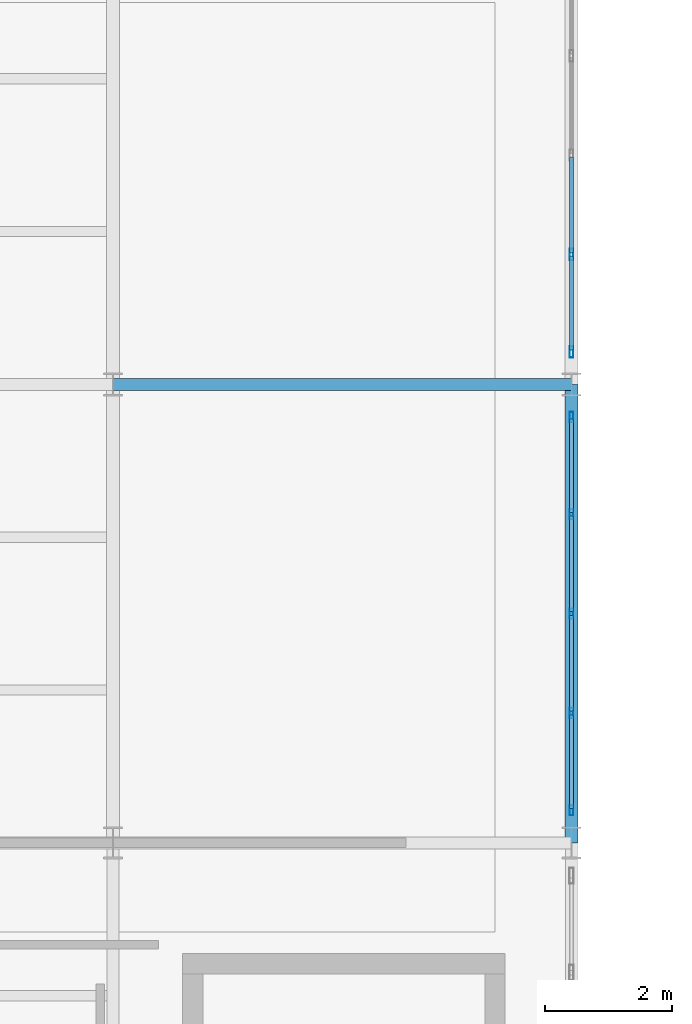
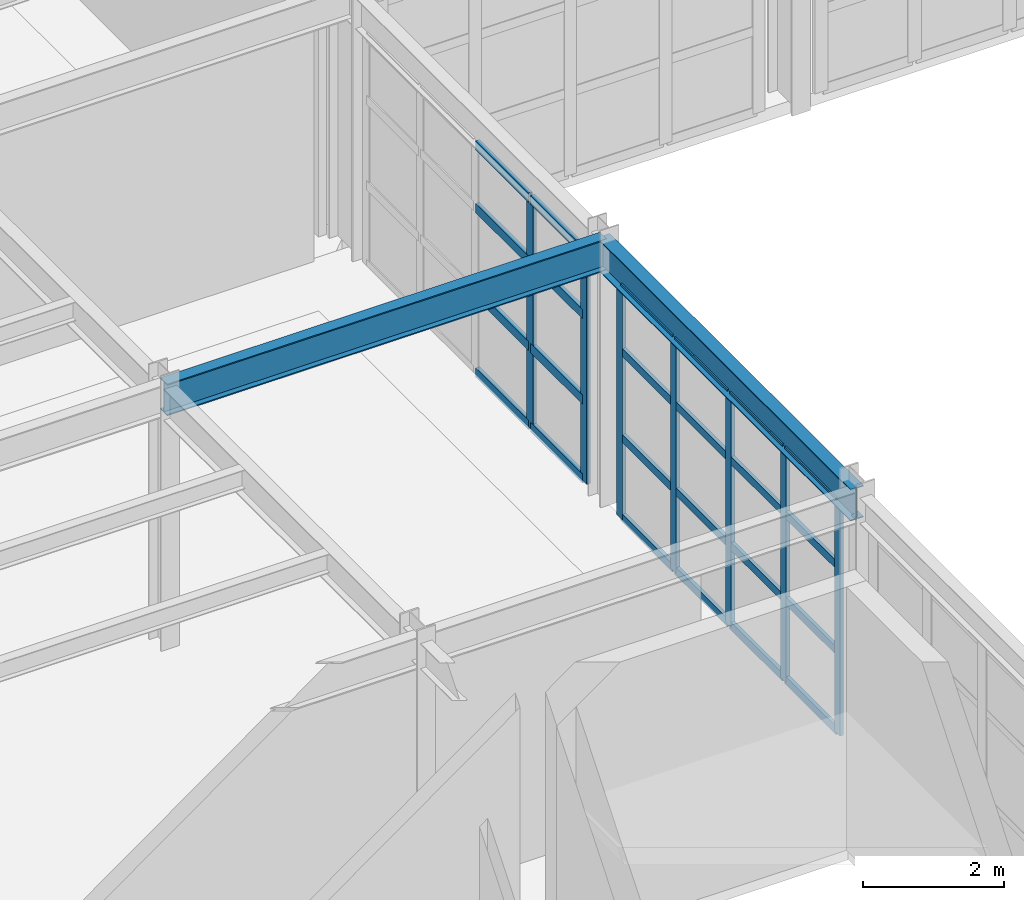
# One storey, part 28 of 121: 31 members, 2 beams, 2 elements without a shape of their own.
"""IFC4 building model written with IfcOpenShell, lengths in metres."""

from ifc_helpers import new_model, si_unit, direction, frame, origin, origin_2d, place, context, subcontext, project, spatial, hollow_rectangle, i_section, extrude, material, layer, layer_set, material_profile, profile_set, type_object, element, aggregate, save


model = new_model("IFC4")

# Units and contexts
model_context = context("Model", 3, precision=1e-05, world=origin(), true_north=direction((0.0, 1.0)))
body_context = subcontext(model_context, "Body", "Model", "MODEL_VIEW")
ifc_project = project(units=[si_unit("LENGTHUNIT", "METRE"), si_unit("AREAUNIT", "SQUARE_METRE"), si_unit("VOLUMEUNIT", "CUBIC_METRE"), si_unit("PLANEANGLEUNIT", "RADIAN"), si_unit("MASSUNIT", "GRAM", prefix="KILO")], contexts=[model_context])

# Site, building, storey
site_placement = place(None, origin())
site = spatial("IfcSite", under=ifc_project, at=site_placement, CompositionType="ELEMENT")
building_placement = place(site_placement, origin())
building = spatial("IfcBuilding", under=site, at=building_placement, Name="Solvadek Multi-Sports Hall", CompositionType="ELEMENT")
storey_placement = place(building_placement, frame((0.0, 0.0, 4.800048828125)))
storey = spatial("IfcBuildingStorey", under=building, at=storey_placement, Name="L01", CompositionType="ELEMENT", Elevation=4.800048828125)

# Curtain wall, members
ifc_material_1 = material(Name="Anodised aluminium", Category="aluminium")
ifc_layer_1 = layer(ifc_material_1, 0.159912109375, Name="Anodised aluminium")
ifc_layer_set_1 = layer_set([ifc_layer_1], Name="Anodised aluminium")
curtain_wall_type_1 = type_object("IfcCurtainWallType", Name="ENV-CW-624X402", PredefinedType="USERDEFINED", material=ifc_layer_set_1)
curtain_wall_1_placement = place(storey_placement, origin())
curtain_wall_1 = element("IfcCurtainWall", 1, at=curtain_wall_1_placement, inside=storey, type_object=curtain_wall_type_1, Name="L01 Perimeter Bay Curtain Wall #193", ObjectType="CURTAIN WALL", PredefinedType="USERDEFINED")
ifc_material_profile_1 = material_profile(ifc_material_1, hollow_rectangle(XDim=0.06005859375, YDim=0.159912109375, WallThickness=0.00390625, at=origin_2d()), Name="ALU-M 160x60x4")
ifc_profile_set_1 = profile_set([ifc_material_profile_1], Name="Anodised aluminium")
member_type_1 = type_object("IfcMemberType", Name="ENV-CWM-01", PredefinedType="MULLION", material=ifc_profile_set_1)
member_1_placement = place(storey_placement, frame((21.60009765625, 35.31005859375, 0.0), z_axis=(0.0, 0.0, 1.0), x_axis=(-1.0, 0.0, 0.0)))
member_1 = element("IfcMember", 2, at=member_1_placement, type_object=member_type_1, Name="CW-55 mullion 1", PredefinedType="MULLION", context=body_context, shape_type="SweptSolid", body=[
    extrude(hollow_rectangle(XDim=0.06005859375, YDim=0.159912109375, WallThickness=0.00390625, at=origin_2d()), origin(), (0.0, 0.0, 1.0), 4.02490234375),
])
member_2_placement = place(storey_placement, frame((21.60009765625, 36.840087890625, 0.0), z_axis=(0.0, 0.0, 1.0), x_axis=(-1.0, 0.0, 0.0)))
member_2 = element("IfcMember", 3, at=member_2_placement, type_object=member_type_1, Name="CW-55 mullion 2", PredefinedType="MULLION", context=body_context, shape_type="SweptSolid", body=[
    extrude(hollow_rectangle(XDim=0.06005859375, YDim=0.159912109375, WallThickness=0.00390625, at=origin_2d()), origin(), (0.0, 0.0, 1.0), 4.02490234375),
])
member_3_placement = place(storey_placement, frame((21.60009765625, 38.39990234375, 0.0), z_axis=(0.0, 0.0, 1.0), x_axis=(-1.0, 0.0, 0.0)))
member_3 = element("IfcMember", 4, at=member_3_placement, type_object=member_type_1, Name="CW-55 mullion 3", PredefinedType="MULLION", context=body_context, shape_type="SweptSolid", body=[
    extrude(hollow_rectangle(XDim=0.06005859375, YDim=0.159912109375, WallThickness=0.00390625, at=origin_2d()), origin(), (0.0, 0.0, 1.0), 4.02490234375),
])
member_4_placement = place(storey_placement, frame((21.60009765625, 39.9599609375, 0.0), z_axis=(0.0, 0.0, 1.0), x_axis=(-1.0, 0.0, 0.0)))
member_4 = element("IfcMember", 5, at=member_4_placement, type_object=member_type_1, Name="CW-55 mullion 4", PredefinedType="MULLION", context=body_context, shape_type="SweptSolid", body=[
    extrude(hollow_rectangle(XDim=0.06005859375, YDim=0.159912109375, WallThickness=0.00390625, at=origin_2d()), origin(), (0.0, 0.0, 1.0), 4.02490234375),
])
member_5_placement = place(storey_placement, frame((21.60009765625, 41.489990234375, 0.0), z_axis=(0.0, 0.0, 1.0), x_axis=(-1.0, 0.0, 0.0)))
member_5 = element("IfcMember", 6, at=member_5_placement, type_object=member_type_1, Name="CW-55 mullion 5", PredefinedType="MULLION", context=body_context, shape_type="SweptSolid", body=[
    extrude(hollow_rectangle(XDim=0.06005859375, YDim=0.159912109375, WallThickness=0.00390625, at=origin_2d()), origin(), (0.0, 0.0, 1.0), 4.02490234375),
])

ifc_layer_2 = layer(ifc_material_1, 0.159912109375, Name="Anodised aluminium")
ifc_layer_set_2 = layer_set([ifc_layer_2], Name="Anodised aluminium")
curtain_wall_type_2 = type_object("IfcCurtainWallType", Name="ENV-CW-624X400", PredefinedType="USERDEFINED", material=ifc_layer_set_2)
curtain_wall_2_placement = place(storey_placement, origin())
curtain_wall_2 = element("IfcCurtainWall", 7, at=curtain_wall_2_placement, inside=storey, type_object=curtain_wall_type_2, Name="L01 Perimeter Bay Curtain Wall #198", ObjectType="CURTAIN WALL", PredefinedType="USERDEFINED")
ifc_material_profile_2 = material_profile(ifc_material_1, hollow_rectangle(XDim=0.06005859375, YDim=0.179931640625, WallThickness=0.00390625, at=origin_2d()), Name="ALU-M 180x60x4")
ifc_profile_set_2 = profile_set([ifc_material_profile_2], Name="Anodised aluminium")
member_type_2 = type_object("IfcMemberType", Name="ENV-CWM-02", PredefinedType="MULLION", material=ifc_profile_set_2)
member_6_placement = place(storey_placement, frame((21.60009765625, 42.510009765625, 0.0), z_axis=(0.0, 0.0, 1.0), x_axis=(-1.0, 0.0, 0.0)))
member_6 = element("IfcMember", 8, at=member_6_placement, type_object=member_type_2, Name="CW-56 mullion 1", PredefinedType="MULLION", context=body_context, shape_type="SweptSolid", body=[
    extrude(hollow_rectangle(XDim=0.06005859375, YDim=0.179931640625, WallThickness=0.00390625, at=origin_2d()), origin(), (0.0, 0.0, 1.0), 4.0),
])
member_7_placement = place(storey_placement, frame((21.60009765625, 44.0400390625, 0.0), z_axis=(0.0, 0.0, 1.0), x_axis=(-1.0, 0.0, 0.0)))
member_7 = element("IfcMember", 9, at=member_7_placement, type_object=member_type_2, Name="CW-56 mullion 2", PredefinedType="MULLION", context=body_context, shape_type="SweptSolid", body=[
    extrude(hollow_rectangle(XDim=0.06005859375, YDim=0.179931640625, WallThickness=0.00390625, at=origin_2d()), origin(), (0.0, 0.0, 1.0), 4.0),
])

# Member
ifc_material_profile_3 = material_profile(ifc_material_1, hollow_rectangle(XDim=0.06005859375, YDim=0.139892578125, WallThickness=0.00390625, at=origin_2d()), Name="ALU-T 140x60x4")
ifc_profile_set_3 = profile_set([ifc_material_profile_3], Name="Anodised aluminium")
member_type_3 = type_object("IfcMemberType", Name="ENV-CWT-02", PredefinedType="USERDEFINED", material=ifc_profile_set_3)
member_8_placement = place(storey_placement, frame((21.60009765625, 35.340087890625, 0.030029296875), z_axis=(0.0, 1.0, 0.0), x_axis=(-1.0, 0.0, 0.0)))
member_8 = element("IfcMember", 10, at=member_8_placement, type_object=member_type_3, Name="CW-55 transom 1.1", ObjectType="TRANSOM", PredefinedType="USERDEFINED", context=body_context, shape_type="SweptSolid", body=[
    extrude(hollow_rectangle(XDim=0.06005859375, YDim=0.139892578125, WallThickness=0.00390625, at=origin_2d()), origin(), (0.0, 0.0, 1.0), 1.469970703125),
])

member_9_placement = place(storey_placement, frame((21.60009765625, 35.340087890625, 1.408935546875), z_axis=(0.0, 1.0, 0.0), x_axis=(-1.0, 0.0, 0.0)))
member_9 = element("IfcMember", 11, at=member_9_placement, type_object=member_type_3, Name="CW-55 transom 1.2", ObjectType="TRANSOM", PredefinedType="USERDEFINED", context=body_context, shape_type="SweptSolid", body=[
    extrude(hollow_rectangle(XDim=0.06005859375, YDim=0.139892578125, WallThickness=0.00390625, at=origin_2d()), origin(), (0.0, 0.0, 1.0), 1.469970703125),
])

member_10_placement = place(storey_placement, frame((21.60009765625, 35.340087890625, 2.89794921875), z_axis=(0.0, 1.0, 0.0), x_axis=(-1.0, 0.0, 0.0)))
member_10 = element("IfcMember", 12, at=member_10_placement, type_object=member_type_3, Name="CW-55 transom 1.3", ObjectType="TRANSOM", PredefinedType="USERDEFINED", context=body_context, shape_type="SweptSolid", body=[
    extrude(hollow_rectangle(XDim=0.06005859375, YDim=0.139892578125, WallThickness=0.00390625, at=origin_2d()), origin(), (0.0, 0.0, 1.0), 1.469970703125),
])

member_11_placement = place(storey_placement, frame((21.60009765625, 35.340087890625, 3.994873046875), z_axis=(0.0, 1.0, 0.0), x_axis=(-1.0, 0.0, 0.0)))
member_11 = element("IfcMember", 13, at=member_11_placement, type_object=member_type_3, Name="CW-55 transom 1.4", ObjectType="TRANSOM", PredefinedType="USERDEFINED", context=body_context, shape_type="SweptSolid", body=[
    extrude(hollow_rectangle(XDim=0.06005859375, YDim=0.139892578125, WallThickness=0.00390625, at=origin_2d()), origin(), (0.0, 0.0, 1.0), 1.469970703125),
])

member_12_placement = place(storey_placement, frame((21.60009765625, 36.8701171875, 0.030029296875), z_axis=(0.0, 1.0, 0.0), x_axis=(-1.0, 0.0, 0.0)))
member_12 = element("IfcMember", 14, at=member_12_placement, type_object=member_type_3, Name="CW-55 transom 2.1", ObjectType="TRANSOM", PredefinedType="USERDEFINED", context=body_context, shape_type="SweptSolid", body=[
    extrude(hollow_rectangle(XDim=0.06005859375, YDim=0.139892578125, WallThickness=0.00390625, at=origin_2d()), origin(), (0.0, 0.0, 1.0), 1.5),
])

member_13_placement = place(storey_placement, frame((21.60009765625, 36.8701171875, 1.408935546875), z_axis=(0.0, 1.0, 0.0), x_axis=(-1.0, 0.0, 0.0)))
member_13 = element("IfcMember", 15, at=member_13_placement, type_object=member_type_3, Name="CW-55 transom 2.2", ObjectType="TRANSOM", PredefinedType="USERDEFINED", context=body_context, shape_type="SweptSolid", body=[
    extrude(hollow_rectangle(XDim=0.06005859375, YDim=0.139892578125, WallThickness=0.00390625, at=origin_2d()), origin(), (0.0, 0.0, 1.0), 1.5),
])

member_14_placement = place(storey_placement, frame((21.60009765625, 36.8701171875, 2.89794921875), z_axis=(0.0, 1.0, 0.0), x_axis=(-1.0, 0.0, 0.0)))
member_14 = element("IfcMember", 16, at=member_14_placement, type_object=member_type_3, Name="CW-55 transom 2.3", ObjectType="TRANSOM", PredefinedType="USERDEFINED", context=body_context, shape_type="SweptSolid", body=[
    extrude(hollow_rectangle(XDim=0.06005859375, YDim=0.139892578125, WallThickness=0.00390625, at=origin_2d()), origin(), (0.0, 0.0, 1.0), 1.5),
])

member_15_placement = place(storey_placement, frame((21.60009765625, 36.8701171875, 3.994873046875), z_axis=(0.0, 1.0, 0.0), x_axis=(-1.0, 0.0, 0.0)))
member_15 = element("IfcMember", 17, at=member_15_placement, type_object=member_type_3, Name="CW-55 transom 2.4", ObjectType="TRANSOM", PredefinedType="USERDEFINED", context=body_context, shape_type="SweptSolid", body=[
    extrude(hollow_rectangle(XDim=0.06005859375, YDim=0.139892578125, WallThickness=0.00390625, at=origin_2d()), origin(), (0.0, 0.0, 1.0), 1.5),
])

member_16_placement = place(storey_placement, frame((21.60009765625, 38.429931640625, 0.030029296875), z_axis=(0.0, 1.0, 0.0), x_axis=(-1.0, 0.0, 0.0)))
member_16 = element("IfcMember", 18, at=member_16_placement, type_object=member_type_3, Name="CW-55 transom 3.1", ObjectType="TRANSOM", PredefinedType="USERDEFINED", context=body_context, shape_type="SweptSolid", body=[
    extrude(hollow_rectangle(XDim=0.06005859375, YDim=0.139892578125, WallThickness=0.00390625, at=origin_2d()), origin(), (0.0, 0.0, 1.0), 1.5),
])

member_17_placement = place(storey_placement, frame((21.60009765625, 38.429931640625, 1.408935546875), z_axis=(0.0, 1.0, 0.0), x_axis=(-1.0, 0.0, 0.0)))
member_17 = element("IfcMember", 19, at=member_17_placement, type_object=member_type_3, Name="CW-55 transom 3.2", ObjectType="TRANSOM", PredefinedType="USERDEFINED", context=body_context, shape_type="SweptSolid", body=[
    extrude(hollow_rectangle(XDim=0.06005859375, YDim=0.139892578125, WallThickness=0.00390625, at=origin_2d()), origin(), (0.0, 0.0, 1.0), 1.5),
])

member_18_placement = place(storey_placement, frame((21.60009765625, 38.429931640625, 2.89794921875), z_axis=(0.0, 1.0, 0.0), x_axis=(-1.0, 0.0, 0.0)))
member_18 = element("IfcMember", 20, at=member_18_placement, type_object=member_type_3, Name="CW-55 transom 3.3", ObjectType="TRANSOM", PredefinedType="USERDEFINED", context=body_context, shape_type="SweptSolid", body=[
    extrude(hollow_rectangle(XDim=0.06005859375, YDim=0.139892578125, WallThickness=0.00390625, at=origin_2d()), origin(), (0.0, 0.0, 1.0), 1.5),
])

member_19_placement = place(storey_placement, frame((21.60009765625, 38.429931640625, 3.994873046875), z_axis=(0.0, 1.0, 0.0), x_axis=(-1.0, 0.0, 0.0)))
member_19 = element("IfcMember", 21, at=member_19_placement, type_object=member_type_3, Name="CW-55 transom 3.4", ObjectType="TRANSOM", PredefinedType="USERDEFINED", context=body_context, shape_type="SweptSolid", body=[
    extrude(hollow_rectangle(XDim=0.06005859375, YDim=0.139892578125, WallThickness=0.00390625, at=origin_2d()), origin(), (0.0, 0.0, 1.0), 1.5),
])

member_20_placement = place(storey_placement, frame((21.60009765625, 39.989990234375, 0.030029296875), z_axis=(0.0, 1.0, 0.0), x_axis=(-1.0, 0.0, 0.0)))
member_20 = element("IfcMember", 22, at=member_20_placement, type_object=member_type_3, Name="CW-55 transom 4.1", ObjectType="TRANSOM", PredefinedType="USERDEFINED", context=body_context, shape_type="SweptSolid", body=[
    extrude(hollow_rectangle(XDim=0.06005859375, YDim=0.139892578125, WallThickness=0.00390625, at=origin_2d()), origin(), (0.0, 0.0, 1.0), 1.469970703125),
])

member_21_placement = place(storey_placement, frame((21.60009765625, 39.989990234375, 1.408935546875), z_axis=(0.0, 1.0, 0.0), x_axis=(-1.0, 0.0, 0.0)))
member_21 = element("IfcMember", 23, at=member_21_placement, type_object=member_type_3, Name="CW-55 transom 4.2", ObjectType="TRANSOM", PredefinedType="USERDEFINED", context=body_context, shape_type="SweptSolid", body=[
    extrude(hollow_rectangle(XDim=0.06005859375, YDim=0.139892578125, WallThickness=0.00390625, at=origin_2d()), origin(), (0.0, 0.0, 1.0), 1.469970703125),
])

member_22_placement = place(storey_placement, frame((21.60009765625, 39.989990234375, 2.89794921875), z_axis=(0.0, 1.0, 0.0), x_axis=(-1.0, 0.0, 0.0)))
member_22 = element("IfcMember", 24, at=member_22_placement, type_object=member_type_3, Name="CW-55 transom 4.3", ObjectType="TRANSOM", PredefinedType="USERDEFINED", context=body_context, shape_type="SweptSolid", body=[
    extrude(hollow_rectangle(XDim=0.06005859375, YDim=0.139892578125, WallThickness=0.00390625, at=origin_2d()), origin(), (0.0, 0.0, 1.0), 1.469970703125),
])

member_23_placement = place(storey_placement, frame((21.60009765625, 39.989990234375, 3.994873046875), z_axis=(0.0, 1.0, 0.0), x_axis=(-1.0, 0.0, 0.0)))
member_23 = element("IfcMember", 25, at=member_23_placement, type_object=member_type_3, Name="CW-55 transom 4.4", ObjectType="TRANSOM", PredefinedType="USERDEFINED", context=body_context, shape_type="SweptSolid", body=[
    extrude(hollow_rectangle(XDim=0.06005859375, YDim=0.139892578125, WallThickness=0.00390625, at=origin_2d()), origin(), (0.0, 0.0, 1.0), 1.469970703125),
])

aggregate(curtain_wall_1, [member_1, member_2, member_3, member_4, member_5, member_8, member_9, member_10, member_11, member_12, member_13, member_14, member_15, member_16, member_17, member_18, member_19, member_20, member_21, member_22, member_23])

ifc_material_profile_4 = material_profile(ifc_material_1, hollow_rectangle(XDim=0.06494140625, YDim=0.159912109375, WallThickness=0.00390625, at=origin_2d()), Name="ALU-T 160x65x4")
ifc_profile_set_4 = profile_set([ifc_material_profile_4], Name="Anodised aluminium")
member_type_4 = type_object("IfcMemberType", Name="ENV-CWT-03", PredefinedType="USERDEFINED", material=ifc_profile_set_4)
member_24_placement = place(storey_placement, frame((21.60009765625, 42.5400390625, 0.032470703125), z_axis=(0.0, 1.0, 0.0), x_axis=(-1.0, 0.0, 0.0)))
member_24 = element("IfcMember", 26, at=member_24_placement, type_object=member_type_4, Name="CW-56 transom 1.1", ObjectType="TRANSOM", PredefinedType="USERDEFINED", context=body_context, shape_type="SweptSolid", body=[
    extrude(hollow_rectangle(XDim=0.06494140625, YDim=0.159912109375, WallThickness=0.00390625, at=origin_2d()), origin(), (0.0, 0.0, 1.0), 1.469970703125),
])

member_25_placement = place(storey_placement, frame((21.60009765625, 42.5400390625, 1.39990234375), z_axis=(0.0, 1.0, 0.0), x_axis=(-1.0, 0.0, 0.0)))
member_25 = element("IfcMember", 27, at=member_25_placement, type_object=member_type_4, Name="CW-56 transom 1.2", ObjectType="TRANSOM", PredefinedType="USERDEFINED", context=body_context, shape_type="SweptSolid", body=[
    extrude(hollow_rectangle(XDim=0.06494140625, YDim=0.159912109375, WallThickness=0.00390625, at=origin_2d()), origin(), (0.0, 0.0, 1.0), 1.469970703125),
])

member_26_placement = place(storey_placement, frame((21.60009765625, 42.5400390625, 2.8798828125), z_axis=(0.0, 1.0, 0.0), x_axis=(-1.0, 0.0, 0.0)))
member_26 = element("IfcMember", 28, at=member_26_placement, type_object=member_type_4, Name="CW-56 transom 1.3", ObjectType="TRANSOM", PredefinedType="USERDEFINED", context=body_context, shape_type="SweptSolid", body=[
    extrude(hollow_rectangle(XDim=0.06494140625, YDim=0.159912109375, WallThickness=0.00390625, at=origin_2d()), origin(), (0.0, 0.0, 1.0), 1.469970703125),
])

member_27_placement = place(storey_placement, frame((21.60009765625, 42.5400390625, 3.967529296875), z_axis=(0.0, 1.0, 0.0), x_axis=(-1.0, 0.0, 0.0)))
member_27 = element("IfcMember", 29, at=member_27_placement, type_object=member_type_4, Name="CW-56 transom 1.4", ObjectType="TRANSOM", PredefinedType="USERDEFINED", context=body_context, shape_type="SweptSolid", body=[
    extrude(hollow_rectangle(XDim=0.06494140625, YDim=0.159912109375, WallThickness=0.00390625, at=origin_2d()), origin(), (0.0, 0.0, 1.0), 1.469970703125),
])

member_28_placement = place(storey_placement, frame((21.60009765625, 44.070068359375, 0.032470703125), z_axis=(0.0, 1.0, 0.0), x_axis=(-1.0, 0.0, 0.0)))
member_28 = element("IfcMember", 30, at=member_28_placement, type_object=member_type_4, Name="CW-56 transom 2.1", ObjectType="TRANSOM", PredefinedType="USERDEFINED", context=body_context, shape_type="SweptSolid", body=[
    extrude(hollow_rectangle(XDim=0.06494140625, YDim=0.159912109375, WallThickness=0.00390625, at=origin_2d()), origin(), (0.0, 0.0, 1.0), 1.5),
])

member_29_placement = place(storey_placement, frame((21.60009765625, 44.070068359375, 1.39990234375), z_axis=(0.0, 1.0, 0.0), x_axis=(-1.0, 0.0, 0.0)))
member_29 = element("IfcMember", 31, at=member_29_placement, type_object=member_type_4, Name="CW-56 transom 2.2", ObjectType="TRANSOM", PredefinedType="USERDEFINED", context=body_context, shape_type="SweptSolid", body=[
    extrude(hollow_rectangle(XDim=0.06494140625, YDim=0.159912109375, WallThickness=0.00390625, at=origin_2d()), origin(), (0.0, 0.0, 1.0), 1.5),
])

member_30_placement = place(storey_placement, frame((21.60009765625, 44.070068359375, 2.8798828125), z_axis=(0.0, 1.0, 0.0), x_axis=(-1.0, 0.0, 0.0)))
member_30 = element("IfcMember", 32, at=member_30_placement, type_object=member_type_4, Name="CW-56 transom 2.3", ObjectType="TRANSOM", PredefinedType="USERDEFINED", context=body_context, shape_type="SweptSolid", body=[
    extrude(hollow_rectangle(XDim=0.06494140625, YDim=0.159912109375, WallThickness=0.00390625, at=origin_2d()), origin(), (0.0, 0.0, 1.0), 1.5),
])

member_31_placement = place(storey_placement, frame((21.60009765625, 44.070068359375, 3.967529296875), z_axis=(0.0, 1.0, 0.0), x_axis=(-1.0, 0.0, 0.0)))
member_31 = element("IfcMember", 33, at=member_31_placement, type_object=member_type_4, Name="CW-56 transom 2.4", ObjectType="TRANSOM", PredefinedType="USERDEFINED", context=body_context, shape_type="SweptSolid", body=[
    extrude(hollow_rectangle(XDim=0.06494140625, YDim=0.159912109375, WallThickness=0.00390625, at=origin_2d()), origin(), (0.0, 0.0, 1.0), 1.5),
])

aggregate(curtain_wall_2, [member_6, member_7, member_24, member_25, member_26, member_27, member_28, member_29, member_30, member_31])

# Beams
ifc_material_2 = material(Name="Steel E350 (350 MPa)", Category="steel")
ifc_material_profile_5 = material_profile(ifc_material_2, i_section(OverallWidth=0.18994140625, OverallDepth=0.550048828125, WebThickness=0.01123046875, FlangeThickness=0.019287109375, at=origin_2d()), Name="ISMB 550")
ifc_profile_set_5 = profile_set([ifc_material_profile_5], Name="Steel E350 (350 MPa)")
beam_type_1 = type_object("IfcBeamType", Name="STR-BM-ISMB550", PredefinedType="BEAM", material=ifc_profile_set_5)
beam_1_placement = place(storey_placement, frame((14.39990234375, 42.0, 4.284912109375), z_axis=(1.0, 0.0, 0.0), x_axis=(0.0, 1.0, 0.0)))
element("IfcBeam", 34, at=beam_1_placement, inside=storey, type_object=beam_type_1, Name="L01 Girder B-06 #991", PredefinedType="BEAM", context=body_context, shape_type="SweptSolid", body=[
    extrude(i_section(OverallWidth=0.18994140625, OverallDepth=0.550048828125, WebThickness=0.01123046875, FlangeThickness=0.019287109375, at=origin_2d()), origin(), (0.0, 0.0, 1.0), 7.2001953125),
])
ifc_material_profile_6 = material_profile(ifc_material_2, i_section(OverallWidth=0.2099609375, OverallDepth=0.550048828125, WebThickness=0.010986328125, FlangeThickness=0.01708984375, at=origin_2d()), Name="NPB 550")
ifc_profile_set_6 = profile_set([ifc_material_profile_6], Name="Steel E350 (350 MPa)")
beam_type_2 = type_object("IfcBeamType", Name="STR-BM-NPB550", PredefinedType="BEAM", material=ifc_profile_set_6)
beam_2_placement = place(storey_placement, frame((21.60009765625, 34.800048828125, 4.284912109375), z_axis=(0.0, 1.0, 0.0), x_axis=(-1.0, 0.0, 0.0)))
element("IfcBeam", 35, at=beam_2_placement, inside=storey, type_object=beam_type_2, Name="L01 Girder B-05 #1153", PredefinedType="BEAM", context=body_context, shape_type="SweptSolid", body=[
    extrude(i_section(OverallWidth=0.2099609375, OverallDepth=0.550048828125, WebThickness=0.010986328125, FlangeThickness=0.01708984375, at=origin_2d()), origin(), (0.0, 0.0, 1.0), 7.199951171875),
])

save(model, "model.ifc")
